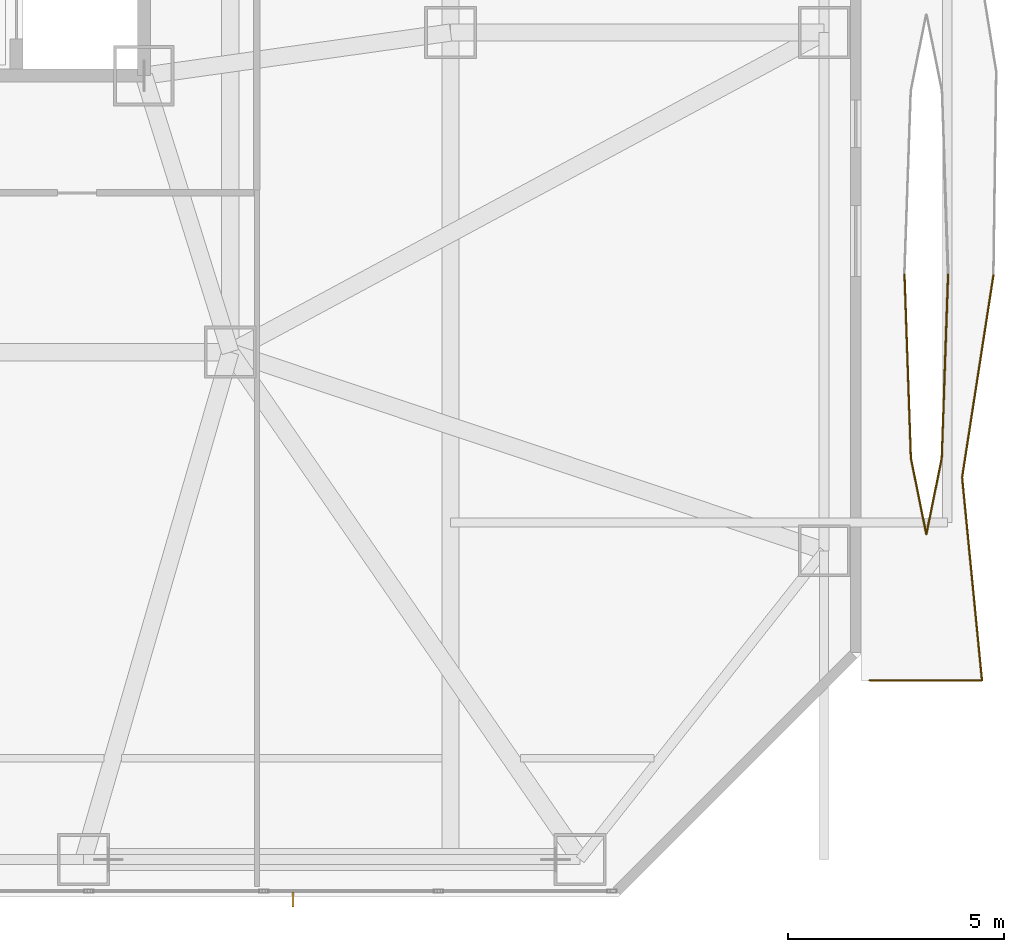
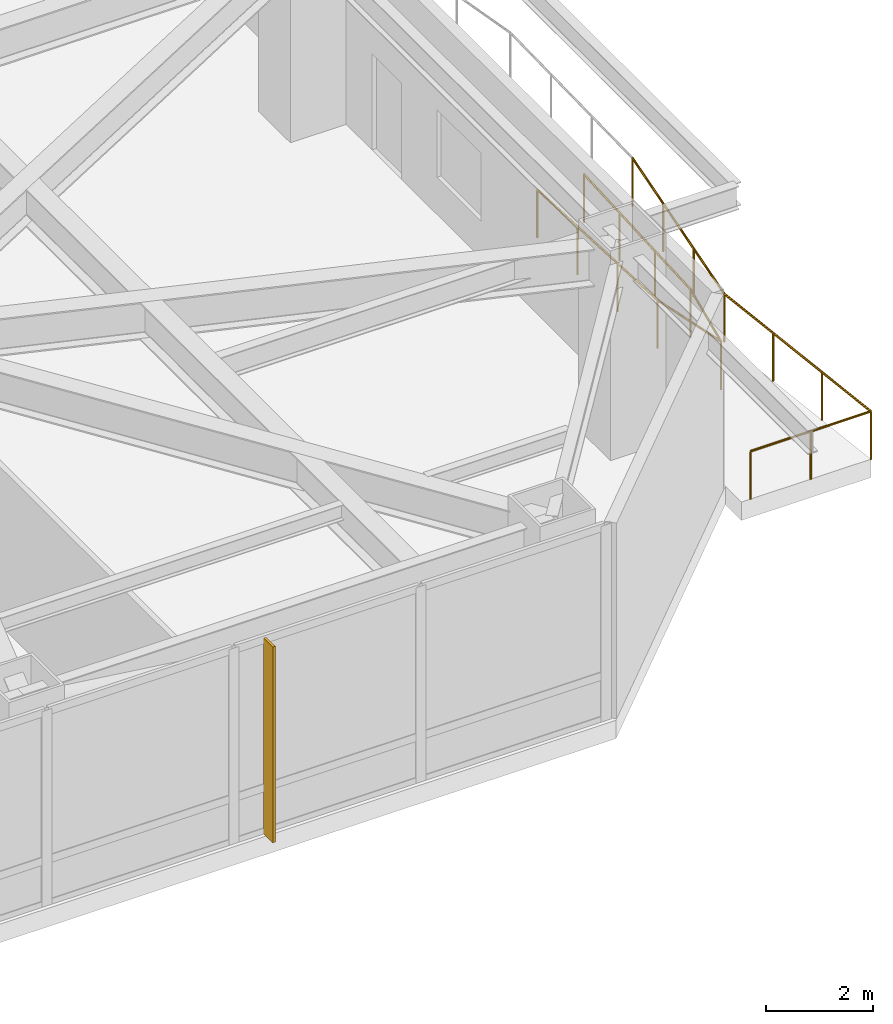
# One storey, part 29 of 33: 2 railings, 1 shading device.
"""IFC4 building model written with IfcOpenShell, lengths in metres."""

from ifc_helpers import new_model, si_unit, direction, frame, origin, origin_2d, place, context, subcontext, project, spatial, rectangle, circle, extrude, material, type_object, element, save


model = new_model("IFC4")

# Units and contexts
model_context = context("Model", 3, precision=1e-05, world=origin(), true_north=direction((0.0, 1.0)))
body_context = subcontext(model_context, "Body", "Model", "MODEL_VIEW")
ifc_project = project(units=[si_unit("LENGTHUNIT", "METRE"), si_unit("AREAUNIT", "SQUARE_METRE"), si_unit("VOLUMEUNIT", "CUBIC_METRE"), si_unit("PLANEANGLEUNIT", "RADIAN"), si_unit("MASSUNIT", "GRAM", prefix="KILO")], contexts=[model_context])

# Site, building, storey
site_placement = place(None, origin())
site = spatial("IfcSite", under=ifc_project, at=site_placement, CompositionType="ELEMENT")
building_placement = place(site_placement, origin())
building = spatial("IfcBuilding", under=site, at=building_placement, Name="Khamvora Tower", CompositionType="ELEMENT")
storey_placement = place(building_placement, frame((0.0, 0.0, 7.199951171875)))
storey = spatial("IfcBuildingStorey", under=building, at=storey_placement, Name="L01", CompositionType="ELEMENT", Elevation=7.199951171875)

# Railings
ifc_material_1 = material(Name="Stainless Steel 316 and Laminated Glass", Category="steel")
railing_type = type_object("IfcRailingType", Name="RAL-GAL-1120", PredefinedType="GUARDRAIL", material=ifc_material_1)
railing_1_placement = place(storey_placement, frame((56.199951171875, 5.0, 0.0)))
element("IfcRailing", 1, at=railing_1_placement, inside=storey, type_object=railing_type, Name="L01 lens gallery south perimeter guardrail EL1", PredefinedType="GUARDRAIL", context=body_context, shape_type="SweptSolid", body=[
    extrude(circle(Radius=0.02392578125, at=origin_2d()), frame((0.0, 0.0, 1.09619140625), z_axis=(1.0, 0.0, 0.0), x_axis=(0.0, 1.0, 0.0)), (0.0, 0.0, 1.0), 2.60498046875),
    extrude(circle(Radius=0.02392578125, at=origin_2d()), frame((2.60498046875, 0.0, 1.09619140625), z_axis=(-0.097399731226, 0.995245342796, 0.0), x_axis=(-0.995245342796, -0.097399731226, 0.0)), (0.0, 0.0, 1.0), 4.722412109375),
    extrude(circle(Radius=0.02392578125, at=origin_2d()), frame((2.14501953125, 4.699951171875, 1.09619140625), z_axis=(0.15307545832, 0.988214503061, 0.0), x_axis=(-0.988214503061, 0.15307545832, 0.0)), (0.0, 0.0, 1.0), 4.756103515625),
    extrude(circle(Radius=0.02099609375, at=origin_2d()), origin(), (0.0, 0.0, 1.0), 1.072021484375),
    extrude(circle(Radius=0.02099609375, at=origin_2d()), frame((1.302490234375, 0.0, 0.0)), (0.0, 0.0, 1.0), 1.072021484375),
    extrude(circle(Radius=0.02099609375, at=origin_2d()), frame((2.60498046875, 0.0, 0.0)), (0.0, 0.0, 1.0), 1.072021484375),
    extrude(circle(Radius=0.02099609375, at=origin_2d()), frame((2.45166015625, 1.566650390625, 0.0)), (0.0, 0.0, 1.0), 1.072021484375),
    extrude(circle(Radius=0.02099609375, at=origin_2d()), frame((2.29833984375, 3.13330078125, 0.0)), (0.0, 0.0, 1.0), 1.072021484375),
    extrude(circle(Radius=0.02099609375, at=origin_2d()), frame((2.14501953125, 4.699951171875, 0.0)), (0.0, 0.0, 1.0), 1.072021484375),
    extrude(circle(Radius=0.02099609375, at=origin_2d()), frame((2.3876953125, 6.2666015625, 0.0)), (0.0, 0.0, 1.0), 1.072021484375),
    extrude(circle(Radius=0.02099609375, at=origin_2d()), frame((2.63037109375, 7.833251953125, 0.0)), (0.0, 0.0, 1.0), 1.072021484375),
    extrude(circle(Radius=0.02099609375, at=origin_2d()), frame((2.873046875, 9.39990234375, 0.0)), (0.0, 0.0, 1.0), 1.072021484375),
])
railing_2_placement = place(storey_placement, frame((57.010986328125, 14.39990234375, 0.0)))
element("IfcRailing", 2, at=railing_2_placement, inside=storey, type_object=railing_type, Name="L01 lens gallery void guardrail EL1B", PredefinedType="GUARDRAIL", context=body_context, shape_type="SweptSolid", body=[
    extrude(circle(Radius=0.02392578125, at=origin_2d()), frame((0.0, 0.0, 1.09619140625), z_axis=(0.034758598303, -0.999395737355, 0.0), x_axis=(0.999395737355, 0.034758598303, 0.0)), (0.0, 0.0, 1.0), 4.256591796875),
    extrude(circle(Radius=0.02392578125, at=origin_2d()), frame((0.14794921875, -4.25390625, 1.09619140625), z_axis=(0.198022438185, -0.980197487232, 0.0), x_axis=(0.980197487232, 0.198022438185, 0.0)), (0.0, 0.0, 1.0), 1.797607421875),
    extrude(circle(Radius=0.02392578125, at=origin_2d()), frame((0.50390625, -6.015869140625, 1.09619140625), z_axis=(0.198152924969, 0.98017111686, 0.0), x_axis=(-0.98017111686, 0.198152924969, 0.0)), (0.0, 0.0, 1.0), 1.797607421875),
    extrude(circle(Radius=0.02392578125, at=origin_2d()), frame((0.860107421875, -4.25390625, 1.09619140625), z_axis=(0.034758598303, 0.999395737355, 0.0), x_axis=(-0.999395737355, 0.034758598303, 0.0)), (0.0, 0.0, 1.0), 4.256591796875),
    extrude(circle(Radius=0.02099609375, at=origin_2d()), origin(), (0.0, 0.0, 1.0), 1.072021484375),
    extrude(circle(Radius=0.02099609375, at=origin_2d()), frame((0.04931640625, -1.41796875, 0.0)), (0.0, 0.0, 1.0), 1.072021484375),
    extrude(circle(Radius=0.02099609375, at=origin_2d()), frame((0.0986328125, -2.8359375, 0.0)), (0.0, 0.0, 1.0), 1.072021484375),
    extrude(circle(Radius=0.02099609375, at=origin_2d()), frame((0.14794921875, -4.25390625, 0.0)), (0.0, 0.0, 1.0), 1.072021484375),
    extrude(circle(Radius=0.02099609375, at=origin_2d()), frame((0.50390625, -6.015869140625, 0.0)), (0.0, 0.0, 1.0), 1.072021484375),
    extrude(circle(Radius=0.02099609375, at=origin_2d()), frame((0.860107421875, -4.25390625, 0.0)), (0.0, 0.0, 1.0), 1.072021484375),
    extrude(circle(Radius=0.02099609375, at=origin_2d()), frame((0.909423828125, -2.8359375, 0.0)), (0.0, 0.0, 1.0), 1.072021484375),
    extrude(circle(Radius=0.02099609375, at=origin_2d()), frame((0.958740234375, -1.41796875, 0.0)), (0.0, 0.0, 1.0), 1.072021484375),
    extrude(circle(Radius=0.02099609375, at=origin_2d()), frame((1.008056640625, 0.0, 0.0)), (0.0, 0.0, 1.0), 1.072021484375),
])

# Shading device
ifc_material_2 = material(Name="Anodised Bronze Aluminium 6063-T6", Category="aluminium")
shading_device_type = type_object("IfcShadingDeviceType", Name="SHD-FIN-350", PredefinedType="USERDEFINED", material=ifc_material_2)
shading_device_placement = place(storey_placement, frame((42.85009765625, -0.077880859375, 0.0), z_axis=(0.0, 0.0, 1.0), x_axis=(-1.0, 0.0, 0.0)))
element("IfcShadingDevice", 3, at=shading_device_placement, inside=storey, type_object=shading_device_type, Name="L01 anodised bronze solar fin 14.01", ObjectType="FIN", PredefinedType="USERDEFINED", context=body_context, shape_type="SweptSolid", body=[
    extrude(rectangle(XDim=0.054931640625, YDim=0.35009765625, at=origin_2d()), origin(), (0.0, 0.0, 1.0), 4.47998046875),
])

save(model, "model.ifc")
